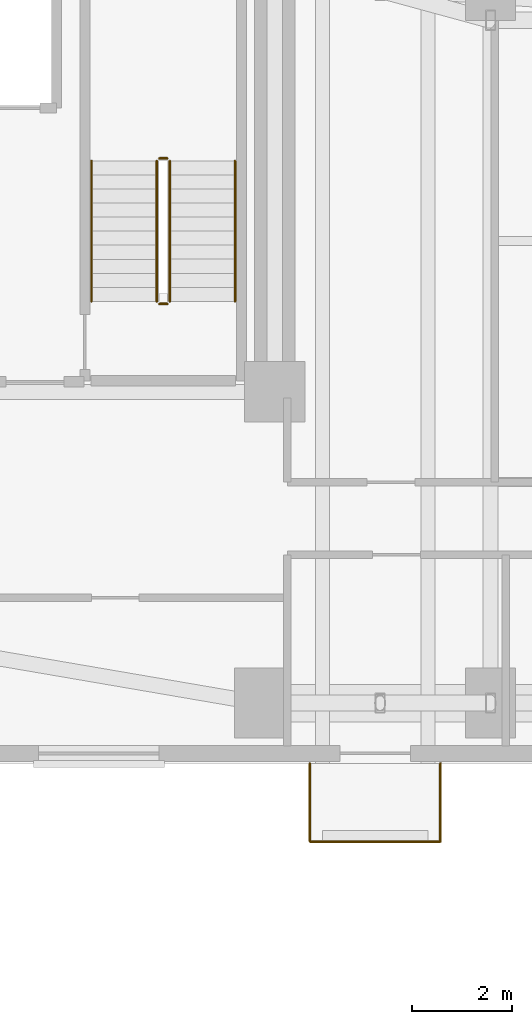
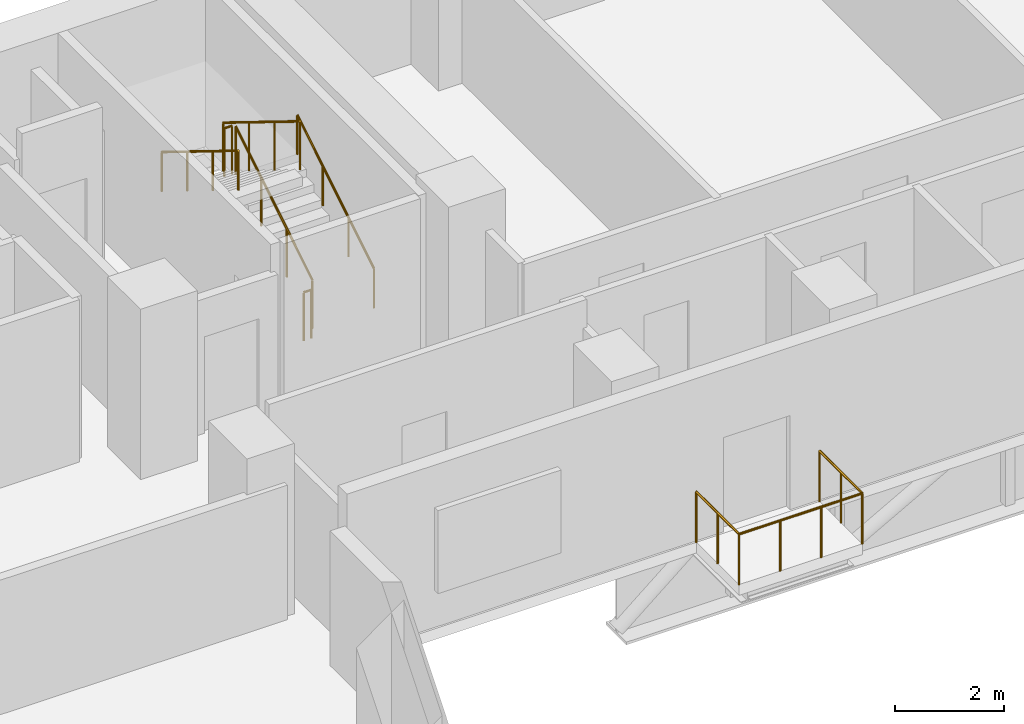
# One storey, part 13 of 15: 9 railings.
"""IFC4 building model written with IfcOpenShell, lengths in metres."""

import ifcopenshell
import ifcopenshell.guid

model = None  # the IFC model being written
_history = None  # IfcOwnerHistory: only IFC2X3 demands one
_inside = {}  # id of a spatial element -> (the spatial element, [elements in it])
_under = {}  # id of a project, library or spatial element -> (it, [spatial elements below it])
_declared = {}  # id of a project -> (the project, [libraries it declares])
_typed = {}  # id of a type object -> (the type object, [elements of that type])
_made_of = {}  # id of a material, layer set ... -> (it, [elements and type objects made of it])


def new_model(schema):
    """Start an empty IFC model of exactly this schema.

    Asked for "IFC4X3", IfcOpenShell would pick the latest addendum, in which some entities
    have other attributes; the version numbers below select the first issue.
    IFC2X3 requires an IfcOwnerHistory on every rooted entity: one is made here for all.
    """
    global model, _history
    if schema == "IFC4X3":
        model = ifcopenshell.file(schema_version=(4, 3, 0, 0))
    else:
        model = ifcopenshell.file(schema=schema)
    _inside.clear()
    _under.clear()
    _declared.clear()
    _typed.clear()
    _made_of.clear()
    _history = None
    if model.schema == "IFC2X3":
        org = make("IfcOrganization", Name="unknown")
        user = make(
            "IfcPersonAndOrganization",
            ThePerson=make("IfcPerson", FamilyName="unknown"),
            TheOrganization=org,
        )
        app = make(
            "IfcApplication",
            ApplicationDeveloper=org,
            Version="unknown",
            ApplicationFullName="unknown",
            ApplicationIdentifier="unknown",
        )
        _history = make(
            "IfcOwnerHistory",
            OwningUser=user,
            OwningApplication=app,
            ChangeAction="ADDED",
            CreationDate=0,
        )
    return model


def make(cls, **values):
    """One entity of the class cls with the attributes given. An attribute that is None is left unset."""
    return model.create_entity(
        cls, **{name: value for name, value in values.items() if value is not None}
    )


def rooted(cls, **values):
    """An entity with a GlobalId (a new one), such as an element, a storey or a relation."""
    return make(cls, GlobalId=ifcopenshell.guid.new(), OwnerHistory=_history, **values)


def si_unit(unit_type, name, prefix=None):
    """IfcSIUnit, for example si_unit("LENGTHUNIT", "METRE", prefix="MILLI")."""
    return make("IfcSIUnit", UnitType=unit_type, Prefix=prefix, Name=name)


def assignment(units):
    """IfcUnitAssignment: the units of a project."""
    return None if units is None else make("IfcUnitAssignment", Units=units)


def point(xyz):
    """IfcCartesianPoint."""
    return None if xyz is None else make("IfcCartesianPoint", Coordinates=xyz)


def direction(xyz):
    """IfcDirection."""
    return None if xyz is None else make("IfcDirection", DirectionRatios=xyz)


def frame(location, z_axis=None, x_axis=None):
    """IfcAxis2Placement3D, a coordinate frame: its origin and axes. An axis left out is left unset."""
    return make(
        "IfcAxis2Placement3D",
        Location=point(location),
        Axis=direction(z_axis),
        RefDirection=direction(x_axis),
    )


def frame_2d(location, x_axis=None):
    """IfcAxis2Placement2D, a coordinate frame in the plane: its origin and x axis."""
    return make(
        "IfcAxis2Placement2D", Location=point(location), RefDirection=direction(x_axis)
    )


def origin():
    """The frame at (0, 0, 0) with its axes left unset."""
    return frame((0.0, 0.0, 0.0))


def origin_2d():
    """The frame at (0, 0) in the plane with its x axis left unset."""
    return frame_2d((0.0, 0.0))


def place(relative_to, where):
    """IfcLocalPlacement: puts the frame where relative to a parent placement (None: the world)."""
    return make(
        "IfcLocalPlacement", PlacementRelTo=relative_to, RelativePlacement=where
    )


def context(
    kind, dimensions, precision=None, world=None, true_north=None, identifier=None
):
    """IfcGeometricRepresentationContext, for example the 3D "Model" context."""
    return make(
        "IfcGeometricRepresentationContext",
        ContextIdentifier=identifier,
        ContextType=kind,
        CoordinateSpaceDimension=dimensions,
        Precision=precision,
        WorldCoordinateSystem=world,
        TrueNorth=true_north,
    )


def subcontext(parent, identifier, kind, view, scale=None):
    """IfcGeometricRepresentationSubContext, for example "Body" below "Model"."""
    return make(
        "IfcGeometricRepresentationSubContext",
        ContextIdentifier=identifier,
        ContextType=kind,
        ParentContext=parent,
        TargetScale=scale,
        TargetView=view,
    )


def project(units=None, contexts=None):
    """IfcProject with its units and contexts."""
    return rooted(
        "IfcProject",
        Name="project",
        RepresentationContexts=contexts,
        UnitsInContext=assignment(units),
    )


def spatial(cls, under=None, at=None, **own):
    """A site, building, storey or space (cls), placed at a placement, below another one or the project."""
    s = rooted(cls, ObjectPlacement=at, **own)
    if under is not None:
        _under.setdefault(under.id(), (under, []))[1].append(s)
    return s


def profile(cls, at=None, kind="AREA", **sizes):
    """A parametric profile (cls). Its sizes go by their IFC names, for example OverallWidth=200.0."""
    return make(cls, ProfileType=kind, Position=at, **sizes)


def circle(**sizes):
    """IfcCircleProfileDef."""
    return profile("IfcCircleProfileDef", **sizes)


def extrude(swept, where, along, depth):
    """IfcExtrudedAreaSolid: the profile swept, set in the frame where, extruded along a direction by depth."""
    return make(
        "IfcExtrudedAreaSolid",
        SweptArea=swept,
        Position=where,
        ExtrudedDirection=direction(along),
        Depth=depth,
    )


def shape(context_of_items, identifier, shape_type, items):
    """IfcShapeRepresentation: the items that make up one representation, for example the "Body"."""
    return make(
        "IfcShapeRepresentation",
        ContextOfItems=context_of_items,
        RepresentationIdentifier=identifier,
        RepresentationType=shape_type,
        Items=items,
    )


def material(Name=None, Category=None):
    """IfcMaterial."""
    return make("IfcMaterial", Name=Name, Category=Category)


def layer(
    of_material, thickness, ventilated=None, Name=None, Category=None, Priority=None
):
    """IfcMaterialLayer: one layer of a wall or slab, of a material (None: an air gap)."""
    return make(
        "IfcMaterialLayer",
        Material=of_material,
        LayerThickness=thickness,
        IsVentilated=ventilated,
        Name=Name,
        Category=Category,
        Priority=Priority,
    )


def layer_set(layers, Name=None):
    """IfcMaterialLayerSet."""
    return make("IfcMaterialLayerSet", MaterialLayers=layers, LayerSetName=Name)


def made_of(thing, what):
    """Note that an element or type object is made of a material, layer set ...; save() writes the relation."""
    if what is not None:
        _made_of.setdefault(what.id(), (what, []))[1].append(thing)
    return thing


def type_object(cls, material=None, **own):
    """A type object (cls), such as IfcWallType, which elements share."""
    return made_of(rooted(cls, **own), material)


def element(
    cls,
    number,
    at=None,
    inside=None,
    cuts=None,
    type_object=None,
    material=None,
    context=None,
    identifier="Body",
    shape_type=None,
    held_by="IfcProductDefinitionShape",
    body=None,
    shapes=None,
    **own,
):
    """One element of the class cls, such as IfcWall. Its Tag is "e" and its number.

    at: its placement. inside: the storey or other place that contains it. cuts: it is an
    opening in that element (IfcRelVoidsElement). A single representation is given by context,
    identifier, shape_type and body (its items); several are given by shapes. held_by: the class
    of the entity that holds the representations. save() writes the other relations.
    """
    e = rooted(cls, Tag="e%d" % number, ObjectPlacement=at, **own)
    if body is not None:
        shapes = [shape(context, identifier, shape_type, body)]
    if shapes is not None:
        e.Representation = make(held_by, Representations=shapes)
    if inside is not None:
        _inside.setdefault(inside.id(), (inside, []))[1].append(e)
    if cuts is not None:
        rooted(
            "IfcRelVoidsElement", RelatingBuildingElement=cuts, RelatedOpeningElement=e
        )
    if type_object is not None:
        _typed.setdefault(type_object.id(), (type_object, []))[1].append(e)
    return made_of(e, material)


def aggregate(whole, parts):
    """IfcRelAggregates: a whole, such as a stair, and the parts it consists of."""
    return rooted("IfcRelAggregates", RelatingObject=whole, RelatedObjects=parts)


def save(model, path):
    """Write the relations noted so far, then the file.

    IfcRelAggregates (storeys below a building ...), IfcRelContainedInSpatialStructure (elements
    in a storey), IfcRelDefinesByType, IfcRelAssociatesMaterial and IfcRelDeclares: one each for
    every whole, place, type object, material and project.
    """
    for whole, parts in _under.values():
        aggregate(whole, parts)
    for where, things in _inside.values():
        rooted(
            "IfcRelContainedInSpatialStructure",
            RelatedElements=things,
            RelatingStructure=where,
        )
    for kind, things in _typed.values():
        rooted("IfcRelDefinesByType", RelatedObjects=things, RelatingType=kind)
    for what, things in _made_of.values():
        rooted("IfcRelAssociatesMaterial", RelatedObjects=things, RelatingMaterial=what)
    for by, libraries in _declared.values():
        rooted("IfcRelDeclares", RelatingContext=by, RelatedDefinitions=libraries)
    model.write(path)


model = new_model("IFC4")

# Units and contexts
model_context = context("Model", 3, precision=1e-05, world=origin(), true_north=direction((0.0, 1.0)))
body_context = subcontext(model_context, "Body", "Model", "MODEL_VIEW")
ifc_project = project(units=[si_unit("LENGTHUNIT", "METRE"), si_unit("AREAUNIT", "SQUARE_METRE"), si_unit("VOLUMEUNIT", "CUBIC_METRE"), si_unit("PLANEANGLEUNIT", "RADIAN"), si_unit("MASSUNIT", "GRAM", prefix="KILO")], contexts=[model_context])

# Site, building, storey
site_placement = place(None, origin())
site = spatial("IfcSite", under=ifc_project, at=site_placement, CompositionType="ELEMENT")
building_placement = place(site_placement, origin())
building = spatial("IfcBuilding", under=site, at=building_placement, Name="Kuzgunbayir Cultural Tower", CompositionType="ELEMENT")
storey_placement = place(building_placement, frame((0.0, 0.0, 39.800048828125)))
storey = spatial("IfcBuildingStorey", under=building, at=storey_placement, Name="L10", CompositionType="ELEMENT", Elevation=39.800048828125)

# Railings
ifc_material_1 = material(Name="Laminated Glass and Stainless Steel", Category="steel")
ifc_layer_1 = layer(ifc_material_1, 0.080078125)
ifc_layer_set_1 = layer_set([ifc_layer_1], Name="Laminated Glass and Stainless Steel")
railing_type_1 = type_object("IfcRailingType", Name="RLG-BAL-115", PredefinedType="BALUSTRADE", material=ifc_layer_set_1)
railing_1_placement = place(storey_placement, frame((27.60009765625, 26.39990234375, 0.0)))
element("IfcRailing", 1, at=railing_1_placement, inside=storey, type_object=railing_type_1, Name="L10 Balcony Guard BAL-L10-WB1 Segment 1", PredefinedType="BALUSTRADE", context=body_context, shape_type="SweptSolid", body=[
    extrude(circle(Radius=0.02392578125, at=origin_2d()), frame((0.0, 0.0, 1.1259765625), z_axis=(0.0, -1.0, 0.0), x_axis=(1.0, 0.0, 0.0)), (0.0, 0.0, 1.0), 1.559814453125),
    extrude(circle(Radius=0.02099609375, at=origin_2d()), origin(), (0.0, 0.0, 1.0), 1.101806640625),
    extrude(circle(Radius=0.02099609375, at=origin_2d()), frame((0.0, -0.77978515625, 0.0)), (0.0, 0.0, 1.0), 1.101806640625),
    extrude(circle(Radius=0.02099609375, at=origin_2d()), frame((0.0, -1.559814453125, 0.0)), (0.0, 0.0, 1.0), 1.101806640625),
])
railing_2_placement = place(storey_placement, frame((27.60009765625, 24.840087890625, 0.0)))
element("IfcRailing", 2, at=railing_2_placement, inside=storey, type_object=railing_type_1, Name="L10 Balcony Guard BAL-L10-WB1 Segment 2", PredefinedType="BALUSTRADE", context=body_context, shape_type="SweptSolid", body=[
    extrude(circle(Radius=0.02392578125, at=origin_2d()), frame((0.0, 0.0, 1.1259765625), z_axis=(1.0, 0.0, 0.0), x_axis=(0.0, 1.0, 0.0)), (0.0, 0.0, 1.0), 2.599853515625),
    extrude(circle(Radius=0.02099609375, at=origin_2d()), origin(), (0.0, 0.0, 1.0), 1.101806640625),
    extrude(circle(Radius=0.02099609375, at=origin_2d()), frame((0.86669921875, 0.0, 0.0)), (0.0, 0.0, 1.0), 1.101806640625),
    extrude(circle(Radius=0.02099609375, at=origin_2d()), frame((1.733154296875, 0.0, 0.0)), (0.0, 0.0, 1.0), 1.101806640625),
    extrude(circle(Radius=0.02099609375, at=origin_2d()), frame((2.599853515625, 0.0, 0.0)), (0.0, 0.0, 1.0), 1.101806640625),
])
railing_3_placement = place(storey_placement, frame((30.199951171875, 24.840087890625, 0.0)))
element("IfcRailing", 3, at=railing_3_placement, inside=storey, type_object=railing_type_1, Name="L10 Balcony Guard BAL-L10-WB1 Segment 3", PredefinedType="BALUSTRADE", context=body_context, shape_type="SweptSolid", body=[
    extrude(circle(Radius=0.02392578125, at=origin_2d()), frame((0.0, 0.0, 1.1259765625), z_axis=(0.0, 1.0, 0.0), x_axis=(-1.0, 0.0, 0.0)), (0.0, 0.0, 1.0), 1.559814453125),
    extrude(circle(Radius=0.02099609375, at=origin_2d()), origin(), (0.0, 0.0, 1.0), 1.101806640625),
    extrude(circle(Radius=0.02099609375, at=origin_2d()), frame((0.0, 0.77978515625, 0.0)), (0.0, 0.0, 1.0), 1.101806640625),
    extrude(circle(Radius=0.02099609375, at=origin_2d()), frame((0.0, 1.559814453125, 0.0)), (0.0, 0.0, 1.0), 1.101806640625),
])
ifc_material_2 = material(Name="Brushed Stainless Steel", Category="steel")
ifc_layer_2 = layer(ifc_material_2, 0.050048828125)
ifc_layer_set_2 = layer_set([ifc_layer_2], Name="Brushed Stainless Steel")
railing_type_2 = type_object("IfcRailingType", Name="RLG-STAIR-HANDRAIL", PredefinedType="HANDRAIL", material=ifc_layer_set_2)
railing_4_placement = place(storey_placement, frame((26.110107421875, 35.60009765625, 0.172607421875)))
element("IfcRailing", 4, at=railing_4_placement, inside=storey, type_object=railing_type_2, Name="L10 ST-2 stair handrail 1", PredefinedType="HANDRAIL", context=body_context, shape_type="SweptSolid", body=[
    extrude(circle(Radius=0.02392578125, at=origin_2d()), frame((0.0, 0.0, 0.8759765625), z_axis=(0.0, 0.851069175582, 0.525053576669), x_axis=(-1.0, 0.0, 0.0)), (0.0, 0.0, 1.0), 3.289794921875),
    extrude(circle(Radius=0.02099609375, at=origin_2d()), origin(), (0.0, 0.0, 1.0), 0.851806640625),
    extrude(circle(Radius=0.02099609375, at=origin_2d()), frame((0.0, 0.933349609375, 0.57568359375)), (0.0, 0.0, 1.0), 0.851806640625),
    extrude(circle(Radius=0.02099609375, at=origin_2d()), frame((0.0, 1.866455078125, 1.151611328125)), (0.0, 0.0, 1.0), 0.851806640625),
    extrude(circle(Radius=0.02099609375, at=origin_2d()), frame((0.0, 2.7998046875, 1.727294921875)), (0.0, 0.0, 1.0), 0.851806640625),
])
railing_5_placement = place(storey_placement, frame((23.25, 38.39990234375, 2.07275390625)))
element("IfcRailing", 5, at=railing_5_placement, inside=storey, type_object=railing_type_2, Name="L10 ST-2 stair handrail 2", PredefinedType="HANDRAIL", context=body_context, shape_type="SweptSolid", body=[
    extrude(circle(Radius=0.02392578125, at=origin_2d()), frame((0.0, 0.0, 0.8759765625), z_axis=(0.0, -0.851069175582, 0.525053576669), x_axis=(1.0, 0.0, 0.0)), (0.0, 0.0, 1.0), 3.289794921875),
    extrude(circle(Radius=0.02099609375, at=origin_2d()), origin(), (0.0, 0.0, 1.0), 0.851806640625),
    extrude(circle(Radius=0.02099609375, at=origin_2d()), frame((0.0, -0.933349609375, 0.57568359375)), (0.0, 0.0, 1.0), 0.851806640625),
    extrude(circle(Radius=0.02099609375, at=origin_2d()), frame((0.0, -1.866455078125, 1.151611328125)), (0.0, 0.0, 1.0), 0.851806640625),
    extrude(circle(Radius=0.02099609375, at=origin_2d()), frame((0.0, -2.7998046875, 1.727294921875)), (0.0, 0.0, 1.0), 0.851806640625),
])
ifc_material_3 = material(Name="Painted Steel Balustrade", Category="steel")
ifc_layer_3 = layer(ifc_material_3, 0.06005859375)
ifc_layer_set_3 = layer_set([ifc_layer_3], Name="Painted Steel Balustrade")
railing_type_3 = type_object("IfcRailingType", Name="RLG-WELL-GUARD", PredefinedType="GUARDRAIL", material=ifc_layer_set_3)
railing_6_placement = place(storey_placement, frame((24.81005859375, 35.60009765625, 0.172607421875)))
element("IfcRailing", 6, at=railing_6_placement, inside=storey, type_object=railing_type_3, Name="L10 ST-2 stair guard 1", PredefinedType="GUARDRAIL", context=body_context, shape_type="SweptSolid", body=[
    extrude(circle(Radius=0.02392578125, at=origin_2d()), frame((0.0, 0.0, 1.076171875), z_axis=(0.0, 0.851069175582, 0.525053576669), x_axis=(-1.0, 0.0, 0.0)), (0.0, 0.0, 1.0), 3.289794921875),
    extrude(circle(Radius=0.02099609375, at=origin_2d()), origin(), (0.0, 0.0, 1.0), 1.052001953125),
    extrude(circle(Radius=0.02099609375, at=origin_2d()), frame((0.0, 0.933349609375, 0.57568359375)), (0.0, 0.0, 1.0), 1.052001953125),
    extrude(circle(Radius=0.02099609375, at=origin_2d()), frame((0.0, 1.866455078125, 1.151611328125)), (0.0, 0.0, 1.0), 1.052001953125),
    extrude(circle(Radius=0.02099609375, at=origin_2d()), frame((0.0, 2.7998046875, 1.727294921875)), (0.0, 0.0, 1.0), 1.052001953125),
])
railing_7_placement = place(storey_placement, frame((24.760009765625, 38.449951171875, 1.89990234375)))
element("IfcRailing", 7, at=railing_7_placement, inside=storey, type_object=railing_type_3, Name="L10 ST-2 stair guard 2", PredefinedType="GUARDRAIL", context=body_context, shape_type="SweptSolid", body=[
    extrude(circle(Radius=0.02392578125, at=origin_2d()), frame((0.0, 0.0, 1.076171875), z_axis=(-1.0, 0.0, 0.0), x_axis=(0.0, -1.0, 0.0)), (0.0, 0.0, 1.0), 0.159912109375),
    extrude(circle(Radius=0.02099609375, at=origin_2d()), origin(), (0.0, 0.0, 1.0), 1.052001953125),
    extrude(circle(Radius=0.02099609375, at=origin_2d()), frame((-0.159912109375, 0.0, 0.0)), (0.0, 0.0, 1.0), 1.052001953125),
])
railing_8_placement = place(storey_placement, frame((24.550048828125, 38.39990234375, 2.07275390625)))
element("IfcRailing", 8, at=railing_8_placement, inside=storey, type_object=railing_type_3, Name="L10 ST-2 stair guard 3", PredefinedType="GUARDRAIL", context=body_context, shape_type="SweptSolid", body=[
    extrude(circle(Radius=0.02392578125, at=origin_2d()), frame((0.0, 0.0, 1.076171875), z_axis=(0.0, -0.851069175582, 0.525053576669), x_axis=(1.0, 0.0, 0.0)), (0.0, 0.0, 1.0), 3.289794921875),
    extrude(circle(Radius=0.02099609375, at=origin_2d()), origin(), (0.0, 0.0, 1.0), 1.052001953125),
    extrude(circle(Radius=0.02099609375, at=origin_2d()), frame((0.0, -0.933349609375, 0.57568359375)), (0.0, 0.0, 1.0), 1.052001953125),
    extrude(circle(Radius=0.02099609375, at=origin_2d()), frame((0.0, -1.866455078125, 1.151611328125)), (0.0, 0.0, 1.0), 1.052001953125),
    extrude(circle(Radius=0.02099609375, at=origin_2d()), frame((0.0, -2.7998046875, 1.727294921875)), (0.0, 0.0, 1.0), 1.052001953125),
])
railing_9_placement = place(storey_placement, frame((24.760009765625, 35.550048828125, 0.0)))
element("IfcRailing", 9, at=railing_9_placement, inside=storey, type_object=railing_type_3, Name="L10 ST-2 stair guard 4", PredefinedType="GUARDRAIL", context=body_context, shape_type="SweptSolid", body=[
    extrude(circle(Radius=0.02392578125, at=origin_2d()), frame((0.0, 0.0, 1.076171875), z_axis=(-1.0, 0.0, 0.0), x_axis=(0.0, -1.0, 0.0)), (0.0, 0.0, 1.0), 0.159912109375),
    extrude(circle(Radius=0.02099609375, at=origin_2d()), origin(), (0.0, 0.0, 1.0), 1.052001953125),
    extrude(circle(Radius=0.02099609375, at=origin_2d()), frame((-0.159912109375, 0.0, 0.0)), (0.0, 0.0, 1.0), 1.052001953125),
])

save(model, "model.ifc")
